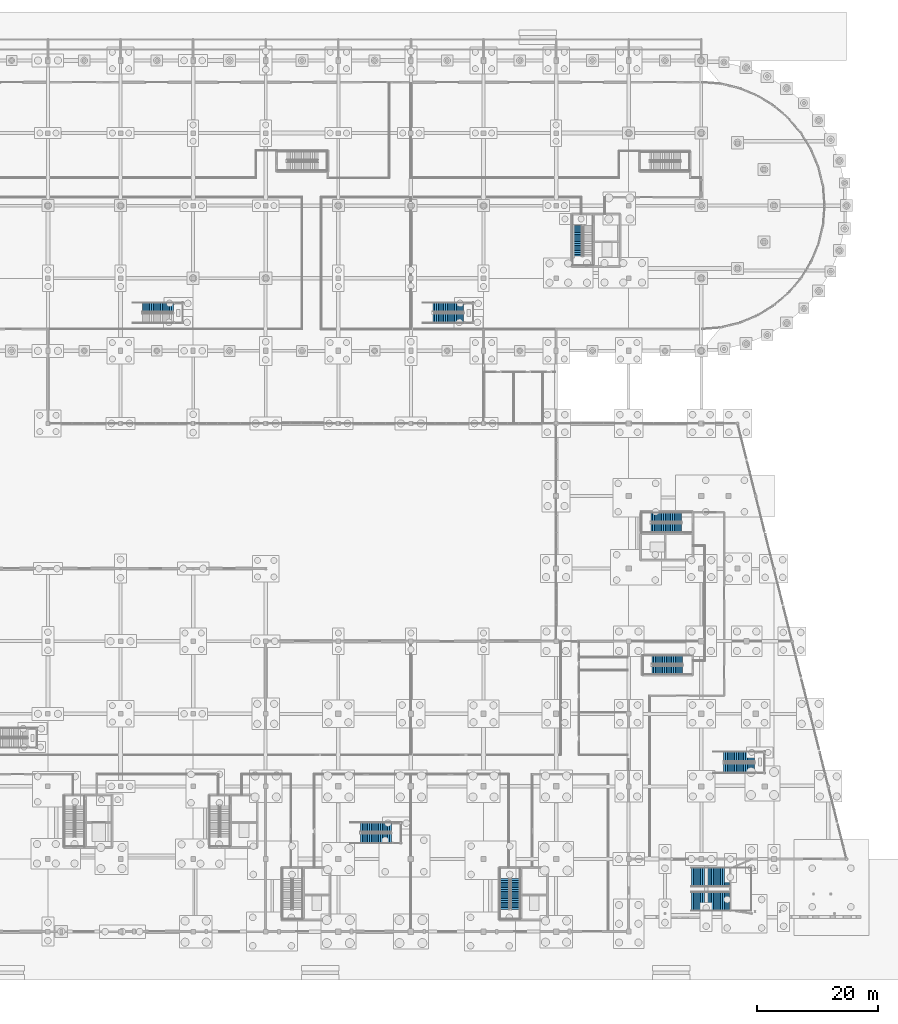
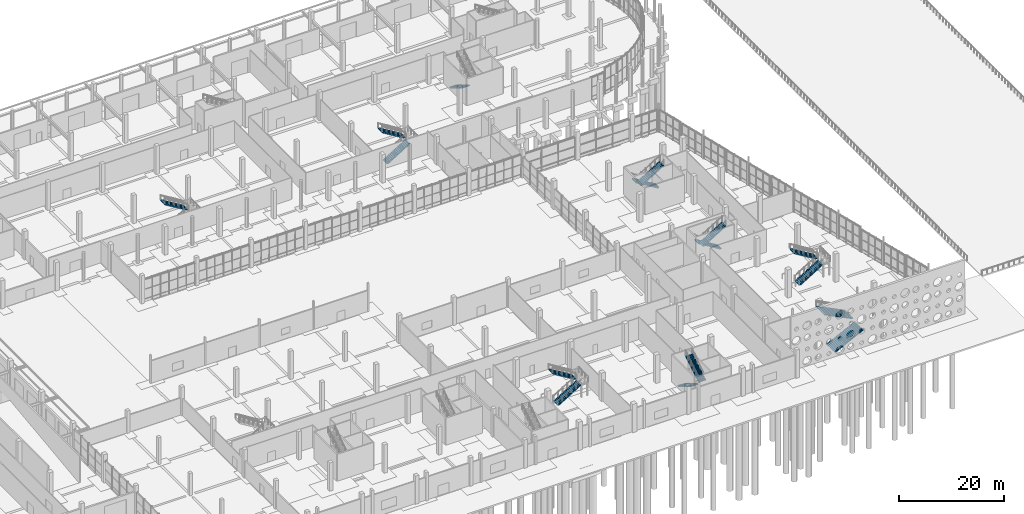
# One storey, part 98 of 117: 16 stair flights, 9 elements without a shape of their own.
"""IFC4 building model written with IfcOpenShell, lengths in metres."""

from ifc_helpers import new_model, si_unit, direction, frame, origin, place, context, subcontext, project, spatial, polyline, outline, extrude, material, layer, layer_set, type_object, element, aggregate, save


model = new_model("IFC4")

# Units and contexts
model_context = context("Model", 3, precision=1e-05, world=origin(), true_north=direction((0.0, 1.0)))
body_context = subcontext(model_context, "Body", "Model", "MODEL_VIEW")
ifc_project = project(units=[si_unit("LENGTHUNIT", "METRE"), si_unit("AREAUNIT", "SQUARE_METRE"), si_unit("VOLUMEUNIT", "CUBIC_METRE"), si_unit("PLANEANGLEUNIT", "RADIAN"), si_unit("MASSUNIT", "GRAM", prefix="KILO")], contexts=[model_context])

# Site, building, storey
site_placement = place(None, origin())
site = spatial("IfcSite", under=ifc_project, at=site_placement, CompositionType="ELEMENT")
building_placement = place(site_placement, origin())
building = spatial("IfcBuilding", under=site, at=building_placement, Name="Kamomehara Wholesale Market", CompositionType="ELEMENT")
storey_placement = place(building_placement, origin())
storey = spatial("IfcBuildingStorey", under=building, at=storey_placement, Name="L00", CompositionType="ELEMENT", Elevation=0.0)

# Stair, stair flight
ifc_material_1 = material(Name="Concrete Fc36 (C35/45)", Category="concrete")
stair_type_1 = type_object("IfcStairType", Name="STR-DL-02", PredefinedType="HALF_TURN_STAIR", material=ifc_material_1)
stair_1_placement = place(storey_placement, origin())
stair_1 = element("IfcStair", 1, at=stair_1_placement, inside=storey, type_object=stair_type_1, Name="L00 Core exit stair ST-02", PredefinedType="HALF_TURN_STAIR")
ifc_material_2 = material(Name="Concrete Fc36 (C35/45)", Category="concrete")
ifc_layer_1 = layer(ifc_material_2, 0.199951171875)
ifc_layer_set_1 = layer_set([ifc_layer_1], Name="Concrete Fc36 (C35/45)")
stair_flight_type_1 = type_object("IfcStairFlightType", Name="SFL-01", PredefinedType="STRAIGHT", material=ifc_layer_set_1)
stair_flight_1_placement = place(storey_placement, frame((159.5, 128.75, 0.0), z_axis=(0.0, 0.0, 1.0), x_axis=(0.0, -1.0, 0.0)))
stair_flight_1 = element("IfcStairFlight", 2, at=stair_flight_1_placement, type_object=stair_flight_type_1, Name="ST-02 flight 1", NumberOfRisers=18, NumberOfTreads=17, PredefinedType="STRAIGHT", RiserHeight=0.183333333, TreadLength=0.3, context=body_context, shape_type="SweptSolid", body=[
    extrude(outline(polyline([(0.0, 0.0), (0.0, 0.183349609375), (0.300048828125, 0.183349609375), (0.300048828125, 0.36669921875), (0.60009765625, 0.36669921875), (0.60009765625, 0.550048828125), (0.89990234375, 0.550048828125), (0.89990234375, 0.7333984375), (1.199951171875, 0.7333984375), (1.199951171875, 0.916748046875), (1.5, 0.916748046875), (1.5, 1.10009765625), (1.800048828125, 1.10009765625), (1.800048828125, 1.283447265625), (2.10009765625, 1.283447265625), (2.10009765625, 1.466552734375), (2.39990234375, 1.466552734375), (2.39990234375, 1.64990234375), (2.699951171875, 1.64990234375), (2.699951171875, 1.833251953125), (3.0, 1.833251953125), (3.0, 2.0166015625), (3.300048828125, 2.0166015625), (3.300048828125, 2.199951171875), (3.60009765625, 2.199951171875), (3.60009765625, 2.38330078125), (3.89990234375, 2.38330078125), (3.89990234375, 2.566650390625), (4.199951171875, 2.566650390625), (4.199951171875, 2.75), (4.5, 2.75), (4.5, 2.933349609375), (4.800048828125, 2.933349609375), (4.800048828125, 3.11669921875), (5.10009765625, 3.11669921875), (5.10009765625, 3.300048828125), (5.10009765625, 2.88232421875), (0.383544921875, 0.0), (0.0, 0.0)])), frame((0.0, 0.800048828125, 0.0), z_axis=(0.0, -1.0, 0.0), x_axis=(1.0, 0.0, 0.0)), (0.0, 0.0, 1.0), 1.60009765625),
])
aggregate(stair_1, [stair_flight_1])

# Stair, stair flights
stair_2_placement = place(storey_placement, origin())
stair_2 = element("IfcStair", 3, at=stair_2_placement, inside=storey, type_object=stair_type_1, Name="L00 Core exit stair ST-08", PredefinedType="HALF_TURN_STAIR")
stair_flight_2_placement = place(storey_placement, frame((147.5, 20.75, 0.0), z_axis=(0.0, 0.0, 1.0), x_axis=(0.0, -1.0, 0.0)))
stair_flight_2 = element("IfcStairFlight", 4, at=stair_flight_2_placement, type_object=stair_flight_type_1, Name="ST-08 flight 1", NumberOfRisers=18, NumberOfTreads=17, PredefinedType="STRAIGHT", RiserHeight=0.183333333, TreadLength=0.3, context=body_context, shape_type="SweptSolid", body=[
    extrude(outline(polyline([(0.0, 0.0), (0.0, 0.183349609375), (0.300048828125, 0.183349609375), (0.300048828125, 0.36669921875), (0.60009765625, 0.36669921875), (0.60009765625, 0.550048828125), (0.89990234375, 0.550048828125), (0.89990234375, 0.7333984375), (1.199951171875, 0.7333984375), (1.199951171875, 0.916748046875), (1.5, 0.916748046875), (1.5, 1.10009765625), (1.800048828125, 1.10009765625), (1.800048828125, 1.283447265625), (2.10009765625, 1.283447265625), (2.10009765625, 1.466552734375), (2.39990234375, 1.466552734375), (2.39990234375, 1.64990234375), (2.699951171875, 1.64990234375), (2.699951171875, 1.833251953125), (3.0, 1.833251953125), (3.0, 2.0166015625), (3.300048828125, 2.0166015625), (3.300048828125, 2.199951171875), (3.60009765625, 2.199951171875), (3.60009765625, 2.38330078125), (3.89990234375, 2.38330078125), (3.89990234375, 2.566650390625), (4.199951171875, 2.566650390625), (4.199951171875, 2.75), (4.5, 2.75), (4.5, 2.933349609375), (4.800048828125, 2.933349609375), (4.800048828125, 3.11669921875), (5.10009765625, 3.11669921875), (5.10009765625, 3.300048828125), (5.10009765625, 2.88232421875), (0.383544921875, 0.0), (0.0, 0.0)])), frame((0.0, 0.800048828125, 0.0), z_axis=(0.0, -1.0, 0.0), x_axis=(1.0, 0.0, 0.0)), (0.0, 0.0, 1.0), 1.60009765625),
])
stair_flight_3_placement = place(storey_placement, frame((149.300048828125, 15.64990234375, 3.300048828125), z_axis=(0.0, 0.0, 1.0), x_axis=(0.0, 1.0, 0.0)))
stair_flight_3 = element("IfcStairFlight", 5, at=stair_flight_3_placement, type_object=stair_flight_type_1, Name="ST-08 flight 2", NumberOfRisers=18, NumberOfTreads=17, PredefinedType="STRAIGHT", RiserHeight=0.183333333, TreadLength=0.3, context=body_context, shape_type="SweptSolid", body=[
    extrude(outline(polyline([(0.0, 0.0), (0.0, 0.183349609375), (0.300048828125, 0.183349609375), (0.300048828125, 0.36669921875), (0.60009765625, 0.36669921875), (0.60009765625, 0.550048828125), (0.89990234375, 0.550048828125), (0.89990234375, 0.7333984375), (1.199951171875, 0.7333984375), (1.199951171875, 0.916748046875), (1.5, 0.916748046875), (1.5, 1.10009765625), (1.800048828125, 1.10009765625), (1.800048828125, 1.283447265625), (2.10009765625, 1.283447265625), (2.10009765625, 1.466552734375), (2.39990234375, 1.466552734375), (2.39990234375, 1.64990234375), (2.699951171875, 1.64990234375), (2.699951171875, 1.833251953125), (3.0, 1.833251953125), (3.0, 2.0166015625), (3.300048828125, 2.0166015625), (3.300048828125, 2.199951171875), (3.60009765625, 2.199951171875), (3.60009765625, 2.38330078125), (3.89990234375, 2.38330078125), (3.89990234375, 2.566650390625), (4.199951171875, 2.566650390625), (4.199951171875, 2.75), (4.5, 2.75), (4.5, 2.933349609375), (4.800048828125, 2.933349609375), (4.800048828125, 3.11669921875), (5.10009765625, 3.11669921875), (5.10009765625, 3.300048828125), (5.10009765625, 2.88232421875), (0.383544921875, 0.0), (0.0, 0.0)])), frame((0.0, 0.800048828125, 0.0), z_axis=(0.0, -1.0, 0.0), x_axis=(1.0, 0.0, 0.0)), (0.0, 0.0, 1.0), 1.60009765625),
])
aggregate(stair_2, [stair_flight_2, stair_flight_3])

stair_3_placement = place(storey_placement, origin())
stair_3 = element("IfcStair", 6, at=stair_3_placement, inside=storey, type_object=stair_type_1, Name="L00 Core exit stair ST-09", PredefinedType="HALF_TURN_STAIR")
stair_flight_4_placement = place(storey_placement, frame((176.75, 80.5, 0.0), z_axis=(0.0, 0.0, 1.0), x_axis=(-1.0, 0.0, 0.0)))
stair_flight_4 = element("IfcStairFlight", 7, at=stair_flight_4_placement, type_object=stair_flight_type_1, Name="ST-09 flight 1", NumberOfRisers=18, NumberOfTreads=17, PredefinedType="STRAIGHT", RiserHeight=0.183333333, TreadLength=0.3, context=body_context, shape_type="SweptSolid", body=[
    extrude(outline(polyline([(0.0, 0.0), (0.0, 0.183349609375), (0.300048828125, 0.183349609375), (0.300048828125, 0.36669921875), (0.60009765625, 0.36669921875), (0.60009765625, 0.550048828125), (0.89990234375, 0.550048828125), (0.89990234375, 0.7333984375), (1.199951171875, 0.7333984375), (1.199951171875, 0.916748046875), (1.5, 0.916748046875), (1.5, 1.10009765625), (1.800048828125, 1.10009765625), (1.800048828125, 1.283447265625), (2.10009765625, 1.283447265625), (2.10009765625, 1.466552734375), (2.39990234375, 1.466552734375), (2.39990234375, 1.64990234375), (2.699951171875, 1.64990234375), (2.699951171875, 1.833251953125), (3.0, 1.833251953125), (3.0, 2.0166015625), (3.300048828125, 2.0166015625), (3.300048828125, 2.199951171875), (3.60009765625, 2.199951171875), (3.60009765625, 2.38330078125), (3.89990234375, 2.38330078125), (3.89990234375, 2.566650390625), (4.199951171875, 2.566650390625), (4.199951171875, 2.75), (4.5, 2.75), (4.5, 2.933349609375), (4.800048828125, 2.933349609375), (4.800048828125, 3.11669921875), (5.10009765625, 3.11669921875), (5.10009765625, 3.300048828125), (5.10009765625, 2.88232421875), (0.383544921875, 0.0), (0.0, 0.0)])), frame((0.0, 0.800048828125, 0.0), z_axis=(0.0, -1.0, 0.0), x_axis=(1.0, 0.0, 0.0)), (0.0, 0.0, 1.0), 1.60009765625),
])
stair_flight_5_placement = place(storey_placement, frame((171.64990234375, 78.699951171875, 3.300048828125), z_axis=(0.0, 0.0, 1.0), x_axis=(1.0, 0.0, 0.0)))
stair_flight_5 = element("IfcStairFlight", 8, at=stair_flight_5_placement, type_object=stair_flight_type_1, Name="ST-09 flight 2", NumberOfRisers=18, NumberOfTreads=17, PredefinedType="STRAIGHT", RiserHeight=0.183333333, TreadLength=0.3, context=body_context, shape_type="SweptSolid", body=[
    extrude(outline(polyline([(0.0, 0.0), (0.0, 0.183349609375), (0.300048828125, 0.183349609375), (0.300048828125, 0.36669921875), (0.60009765625, 0.36669921875), (0.60009765625, 0.550048828125), (0.89990234375, 0.550048828125), (0.89990234375, 0.7333984375), (1.199951171875, 0.7333984375), (1.199951171875, 0.916748046875), (1.5, 0.916748046875), (1.5, 1.10009765625), (1.800048828125, 1.10009765625), (1.800048828125, 1.283447265625), (2.10009765625, 1.283447265625), (2.10009765625, 1.466552734375), (2.39990234375, 1.466552734375), (2.39990234375, 1.64990234375), (2.699951171875, 1.64990234375), (2.699951171875, 1.833251953125), (3.0, 1.833251953125), (3.0, 2.0166015625), (3.300048828125, 2.0166015625), (3.300048828125, 2.199951171875), (3.60009765625, 2.199951171875), (3.60009765625, 2.38330078125), (3.89990234375, 2.38330078125), (3.89990234375, 2.566650390625), (4.199951171875, 2.566650390625), (4.199951171875, 2.75), (4.5, 2.75), (4.5, 2.933349609375), (4.800048828125, 2.933349609375), (4.800048828125, 3.11669921875), (5.10009765625, 3.11669921875), (5.10009765625, 3.300048828125), (5.10009765625, 2.88232421875), (0.383544921875, 0.0), (0.0, 0.0)])), frame((0.0, 0.800048828125, 0.0), z_axis=(0.0, -1.0, 0.0), x_axis=(1.0, 0.0, 0.0)), (0.0, 0.0, 1.0), 1.60009765625),
])
aggregate(stair_3, [stair_flight_4, stair_flight_5])

ifc_material_3 = material(Name="Concrete Fc36 (C35/45)", Category="concrete")
stair_type_2 = type_object("IfcStairType", Name="STR-DL-07", PredefinedType="HALF_TURN_STAIR", material=ifc_material_3)
stair_4_placement = place(storey_placement, origin())
stair_4 = element("IfcStair", 9, at=stair_4_placement, inside=storey, type_object=stair_type_2, Name="L00 Exit stair ST-17", PredefinedType="HALF_TURN_STAIR")
stair_flight_6_placement = place(storey_placement, frame((123.6650390625, 27.382568359375, 0.0), z_axis=(0.0, 0.0, 1.0), x_axis=(1.0, 0.0, 0.0)))
stair_flight_6 = element("IfcStairFlight", 10, at=stair_flight_6_placement, type_object=stair_flight_type_1, Name="ST-17 flight 1", NumberOfRisers=18, NumberOfTreads=17, PredefinedType="STRAIGHT", RiserHeight=0.183333333, TreadLength=0.3, context=body_context, shape_type="SweptSolid", body=[
    extrude(outline(polyline([(0.0, 0.0), (0.0, 0.183349609375), (0.300048828125, 0.183349609375), (0.300048828125, 0.36669921875), (0.60009765625, 0.36669921875), (0.60009765625, 0.550048828125), (0.89990234375, 0.550048828125), (0.89990234375, 0.7333984375), (1.199951171875, 0.7333984375), (1.199951171875, 0.916748046875), (1.5, 0.916748046875), (1.5, 1.10009765625), (1.800048828125, 1.10009765625), (1.800048828125, 1.283447265625), (2.10009765625, 1.283447265625), (2.10009765625, 1.466552734375), (2.39990234375, 1.466552734375), (2.39990234375, 1.64990234375), (2.699951171875, 1.64990234375), (2.699951171875, 1.833251953125), (3.0, 1.833251953125), (3.0, 2.0166015625), (3.300048828125, 2.0166015625), (3.300048828125, 2.199951171875), (3.60009765625, 2.199951171875), (3.60009765625, 2.38330078125), (3.89990234375, 2.38330078125), (3.89990234375, 2.566650390625), (4.199951171875, 2.566650390625), (4.199951171875, 2.75), (4.5, 2.75), (4.5, 2.933349609375), (4.800048828125, 2.933349609375), (4.800048828125, 3.11669921875), (5.10009765625, 3.11669921875), (5.10009765625, 3.300048828125), (5.10009765625, 2.88232421875), (0.383544921875, 0.0), (0.0, 0.0)])), frame((0.0, 0.83251953125, 0.0), z_axis=(0.0, -1.0, 0.0), x_axis=(1.0, 0.0, 0.0)), (0.0, 0.0, 1.0), 1.6650390625),
])
stair_flight_7_placement = place(storey_placement, frame((128.764892578125, 29.24755859375, 3.300048828125), z_axis=(0.0, 0.0, 1.0), x_axis=(-1.0, 0.0, 0.0)))
stair_flight_7 = element("IfcStairFlight", 11, at=stair_flight_7_placement, type_object=stair_flight_type_1, Name="ST-17 flight 2", NumberOfRisers=18, NumberOfTreads=17, PredefinedType="STRAIGHT", RiserHeight=0.183333333, TreadLength=0.3, context=body_context, shape_type="SweptSolid", body=[
    extrude(outline(polyline([(0.0, 0.0), (0.0, 0.183349609375), (0.300048828125, 0.183349609375), (0.300048828125, 0.36669921875), (0.60009765625, 0.36669921875), (0.60009765625, 0.550048828125), (0.89990234375, 0.550048828125), (0.89990234375, 0.7333984375), (1.199951171875, 0.7333984375), (1.199951171875, 0.916748046875), (1.5, 0.916748046875), (1.5, 1.10009765625), (1.800048828125, 1.10009765625), (1.800048828125, 1.283447265625), (2.10009765625, 1.283447265625), (2.10009765625, 1.466552734375), (2.39990234375, 1.466552734375), (2.39990234375, 1.64990234375), (2.699951171875, 1.64990234375), (2.699951171875, 1.833251953125), (3.0, 1.833251953125), (3.0, 2.0166015625), (3.300048828125, 2.0166015625), (3.300048828125, 2.199951171875), (3.60009765625, 2.199951171875), (3.60009765625, 2.38330078125), (3.89990234375, 2.38330078125), (3.89990234375, 2.566650390625), (4.199951171875, 2.566650390625), (4.199951171875, 2.75), (4.5, 2.75), (4.5, 2.933349609375), (4.800048828125, 2.933349609375), (4.800048828125, 3.11669921875), (5.10009765625, 3.11669921875), (5.10009765625, 3.300048828125), (5.10009765625, 2.88232421875), (0.383544921875, 0.0), (0.0, 0.0)])), frame((0.0, 0.83251953125, 0.0), z_axis=(0.0, -1.0, 0.0), x_axis=(1.0, 0.0, 0.0)), (0.0, 0.0, 1.0), 1.6650390625),
])
aggregate(stair_4, [stair_flight_6, stair_flight_7])

ifc_material_4 = material(Name="Concrete Fc36 (C35/45)", Category="concrete")
stair_type_3 = type_object("IfcStairType", Name="STR-DL-03", PredefinedType="HALF_TURN_STAIR", material=ifc_material_4)
stair_5_placement = place(storey_placement, origin())
stair_5 = element("IfcStair", 12, at=stair_5_placement, inside=storey, type_object=stair_type_3, Name="L00 Exit stair ST-10", PredefinedType="HALF_TURN_STAIR")
ifc_material_5 = material(Name="Concrete Fc36 (C35/45)", Category="concrete")
ifc_layer_2 = layer(ifc_material_5, 0.219970703125)
ifc_layer_set_2 = layer_set([ifc_layer_2], Name="Concrete Fc36 (C35/45)")
stair_flight_type_2 = type_object("IfcStairFlightType", Name="SFL-02", PredefinedType="STRAIGHT", material=ifc_layer_set_2)
stair_flight_8_placement = place(storey_placement, frame((176.9150390625, 56.907470703125, 0.0), z_axis=(0.0, 0.0, 1.0), x_axis=(-1.0, 0.0, 0.0)))
stair_flight_8 = element("IfcStairFlight", 13, at=stair_flight_8_placement, type_object=stair_flight_type_2, Name="ST-10 flight 1", NumberOfRisers=18, NumberOfTreads=17, PredefinedType="STRAIGHT", RiserHeight=0.183333333, TreadLength=0.3, context=body_context, shape_type="SweptSolid", body=[
    extrude(outline(polyline([(0.0, 0.0), (0.0, 0.183349609375), (0.300048828125, 0.183349609375), (0.300048828125, 0.36669921875), (0.60009765625, 0.36669921875), (0.60009765625, 0.550048828125), (0.89990234375, 0.550048828125), (0.89990234375, 0.7333984375), (1.199951171875, 0.7333984375), (1.199951171875, 0.916748046875), (1.5, 0.916748046875), (1.5, 1.10009765625), (1.800048828125, 1.10009765625), (1.800048828125, 1.283447265625), (2.10009765625, 1.283447265625), (2.10009765625, 1.466552734375), (2.39990234375, 1.466552734375), (2.39990234375, 1.64990234375), (2.699951171875, 1.64990234375), (2.699951171875, 1.833251953125), (3.0, 1.833251953125), (3.0, 2.0166015625), (3.300048828125, 2.0166015625), (3.300048828125, 2.199951171875), (3.60009765625, 2.199951171875), (3.60009765625, 2.38330078125), (3.89990234375, 2.38330078125), (3.89990234375, 2.566650390625), (4.199951171875, 2.566650390625), (4.199951171875, 2.75), (4.5, 2.75), (4.5, 2.933349609375), (4.800048828125, 2.933349609375), (4.800048828125, 3.11669921875), (5.10009765625, 3.11669921875), (5.10009765625, 3.300048828125), (5.10009765625, 2.88232421875), (0.383544921875, 0.0), (0.0, 0.0)])), frame((0.0, 0.74267578125, 0.0), z_axis=(0.0, -1.0, 0.0), x_axis=(1.0, 0.0, 0.0)), (0.0, 0.0, 1.0), 1.485107421875),
])
stair_flight_9_placement = place(storey_placement, frame((171.81494140625, 55.222412109375, 3.300048828125), z_axis=(0.0, 0.0, 1.0), x_axis=(1.0, 0.0, 0.0)))
stair_flight_9 = element("IfcStairFlight", 14, at=stair_flight_9_placement, type_object=stair_flight_type_2, Name="ST-10 flight 2", NumberOfRisers=18, NumberOfTreads=17, PredefinedType="STRAIGHT", RiserHeight=0.183333333, TreadLength=0.3, context=body_context, shape_type="SweptSolid", body=[
    extrude(outline(polyline([(0.0, 0.0), (0.0, 0.183349609375), (0.300048828125, 0.183349609375), (0.300048828125, 0.36669921875), (0.60009765625, 0.36669921875), (0.60009765625, 0.550048828125), (0.89990234375, 0.550048828125), (0.89990234375, 0.7333984375), (1.199951171875, 0.7333984375), (1.199951171875, 0.916748046875), (1.5, 0.916748046875), (1.5, 1.10009765625), (1.800048828125, 1.10009765625), (1.800048828125, 1.283447265625), (2.10009765625, 1.283447265625), (2.10009765625, 1.466552734375), (2.39990234375, 1.466552734375), (2.39990234375, 1.64990234375), (2.699951171875, 1.64990234375), (2.699951171875, 1.833251953125), (3.0, 1.833251953125), (3.0, 2.0166015625), (3.300048828125, 2.0166015625), (3.300048828125, 2.199951171875), (3.60009765625, 2.199951171875), (3.60009765625, 2.38330078125), (3.89990234375, 2.38330078125), (3.89990234375, 2.566650390625), (4.199951171875, 2.566650390625), (4.199951171875, 2.75), (4.5, 2.75), (4.5, 2.933349609375), (4.800048828125, 2.933349609375), (4.800048828125, 3.11669921875), (5.10009765625, 3.11669921875), (5.10009765625, 3.300048828125), (5.10009765625, 2.88232421875), (0.383544921875, 0.0), (0.0, 0.0)])), frame((0.0, 0.74267578125, 0.0), z_axis=(0.0, -1.0, 0.0), x_axis=(1.0, 0.0, 0.0)), (0.0, 0.0, 1.0), 1.485107421875),
])
aggregate(stair_5, [stair_flight_8, stair_flight_9])

ifc_material_6 = material(Name="Concrete Fc36 (C35/45)", Category="concrete")
stair_type_4 = type_object("IfcStairType", Name="STR-DL-08", PredefinedType="HALF_TURN_STAIR", material=ifc_material_6)
stair_6_placement = place(storey_placement, origin())
stair_6 = element("IfcStair", 15, at=stair_6_placement, inside=storey, type_object=stair_type_4, Name="L00 Exit stair ST-18", PredefinedType="HALF_TURN_STAIR")
stair_flight_10_placement = place(storey_placement, frame((183.7099609375, 39.0048828125, 0.0), z_axis=(0.0, 0.0, 1.0), x_axis=(1.0, 0.0, 0.0)))
stair_flight_10 = element("IfcStairFlight", 16, at=stair_flight_10_placement, type_object=stair_flight_type_2, Name="ST-18 flight 1", NumberOfRisers=18, NumberOfTreads=17, PredefinedType="STRAIGHT", RiserHeight=0.183333333, TreadLength=0.3, context=body_context, shape_type="SweptSolid", body=[
    extrude(outline(polyline([(0.0, 0.0), (0.0, 0.183349609375), (0.300048828125, 0.183349609375), (0.300048828125, 0.36669921875), (0.60009765625, 0.36669921875), (0.60009765625, 0.550048828125), (0.89990234375, 0.550048828125), (0.89990234375, 0.7333984375), (1.199951171875, 0.7333984375), (1.199951171875, 0.916748046875), (1.5, 0.916748046875), (1.5, 1.10009765625), (1.800048828125, 1.10009765625), (1.800048828125, 1.283447265625), (2.10009765625, 1.283447265625), (2.10009765625, 1.466552734375), (2.39990234375, 1.466552734375), (2.39990234375, 1.64990234375), (2.699951171875, 1.64990234375), (2.699951171875, 1.833251953125), (3.0, 1.833251953125), (3.0, 2.0166015625), (3.300048828125, 2.0166015625), (3.300048828125, 2.199951171875), (3.60009765625, 2.199951171875), (3.60009765625, 2.38330078125), (3.89990234375, 2.38330078125), (3.89990234375, 2.566650390625), (4.199951171875, 2.566650390625), (4.199951171875, 2.75), (4.5, 2.75), (4.5, 2.933349609375), (4.800048828125, 2.933349609375), (4.800048828125, 3.11669921875), (5.10009765625, 3.11669921875), (5.10009765625, 3.300048828125), (5.10009765625, 2.88232421875), (0.383544921875, 0.0), (0.0, 0.0)])), frame((0.0, 0.85498046875, 0.0), z_axis=(0.0, -1.0, 0.0), x_axis=(1.0, 0.0, 0.0)), (0.0, 0.0, 1.0), 1.7099609375),
])
stair_flight_11_placement = place(storey_placement, frame((188.81005859375, 40.9150390625, 3.300048828125), z_axis=(0.0, 0.0, 1.0), x_axis=(-1.0, 0.0, 0.0)))
stair_flight_11 = element("IfcStairFlight", 17, at=stair_flight_11_placement, type_object=stair_flight_type_2, Name="ST-18 flight 2", NumberOfRisers=18, NumberOfTreads=17, PredefinedType="STRAIGHT", RiserHeight=0.183333333, TreadLength=0.3, context=body_context, shape_type="SweptSolid", body=[
    extrude(outline(polyline([(0.0, 0.0), (0.0, 0.183349609375), (0.300048828125, 0.183349609375), (0.300048828125, 0.36669921875), (0.60009765625, 0.36669921875), (0.60009765625, 0.550048828125), (0.89990234375, 0.550048828125), (0.89990234375, 0.7333984375), (1.199951171875, 0.7333984375), (1.199951171875, 0.916748046875), (1.5, 0.916748046875), (1.5, 1.10009765625), (1.800048828125, 1.10009765625), (1.800048828125, 1.283447265625), (2.10009765625, 1.283447265625), (2.10009765625, 1.466552734375), (2.39990234375, 1.466552734375), (2.39990234375, 1.64990234375), (2.699951171875, 1.64990234375), (2.699951171875, 1.833251953125), (3.0, 1.833251953125), (3.0, 2.0166015625), (3.300048828125, 2.0166015625), (3.300048828125, 2.199951171875), (3.60009765625, 2.199951171875), (3.60009765625, 2.38330078125), (3.89990234375, 2.38330078125), (3.89990234375, 2.566650390625), (4.199951171875, 2.566650390625), (4.199951171875, 2.75), (4.5, 2.75), (4.5, 2.933349609375), (4.800048828125, 2.933349609375), (4.800048828125, 3.11669921875), (5.10009765625, 3.11669921875), (5.10009765625, 3.300048828125), (5.10009765625, 2.88232421875), (0.383544921875, 0.0), (0.0, 0.0)])), frame((0.0, 0.85498046875, 0.0), z_axis=(0.0, -1.0, 0.0), x_axis=(1.0, 0.0, 0.0)), (0.0, 0.0, 1.0), 1.7099609375),
])
aggregate(stair_6, [stair_flight_10, stair_flight_11])

ifc_material_7 = material(Name="Concrete Fc36 (C35/45)", Category="concrete")
stair_type_5 = type_object("IfcStairType", Name="STR-DL-09", PredefinedType="HALF_TURN_STAIR", material=ifc_material_7)
stair_7_placement = place(storey_placement, origin())
stair_7 = element("IfcStair", 18, at=stair_7_placement, inside=storey, type_object=stair_type_5, Name="Exterior ceremonial stair ST-19", PredefinedType="HALF_TURN_STAIR")
stair_flight_12_placement = place(storey_placement, frame((178.39990234375, 17.0, 0.0), z_axis=(0.0, 0.0, 1.0), x_axis=(1.0, 0.0, 0.0)))
stair_flight_12 = element("IfcStairFlight", 19, at=stair_flight_12_placement, type_object=stair_flight_type_2, Name="ST-19 flight 1", NumberOfRisers=22, NumberOfTreads=21, PredefinedType="STRAIGHT", RiserHeight=0.15, TreadLength=0.3, context=body_context, shape_type="SweptSolid", body=[
    extrude(outline(polyline([(0.0, 0.0), (0.0, 0.14990234375), (0.300048828125, 0.14990234375), (0.300048828125, 0.300048828125), (0.60009765625, 0.300048828125), (0.60009765625, 0.449951171875), (0.89990234375, 0.449951171875), (0.89990234375, 0.60009765625), (1.199951171875, 0.60009765625), (1.199951171875, 0.75), (1.5, 0.75), (1.5, 0.89990234375), (1.800048828125, 0.89990234375), (1.800048828125, 1.050048828125), (2.10009765625, 1.050048828125), (2.10009765625, 1.199951171875), (2.39990234375, 1.199951171875), (2.39990234375, 1.35009765625), (2.699951171875, 1.35009765625), (2.699951171875, 1.5), (3.0, 1.5), (3.0, 1.64990234375), (3.300048828125, 1.64990234375), (3.300048828125, 1.800048828125), (3.60009765625, 1.800048828125), (3.60009765625, 1.949951171875), (3.89990234375, 1.949951171875), (3.89990234375, 2.10009765625), (4.199951171875, 2.10009765625), (4.199951171875, 2.25), (4.5, 2.25), (4.5, 2.39990234375), (4.800048828125, 2.39990234375), (4.800048828125, 2.550048828125), (5.10009765625, 2.550048828125), (5.10009765625, 2.699951171875), (5.39990234375, 2.699951171875), (5.39990234375, 2.85009765625), (5.699951171875, 2.85009765625), (5.699951171875, 3.0), (6.0, 3.0), (6.0, 3.14990234375), (6.300048828125, 3.14990234375), (6.300048828125, 3.300048828125), (6.300048828125, 2.982421875), (0.335205078125, 0.0), (0.0, 0.0)])), frame((0.0, 1.60009765625, 0.0), z_axis=(0.0, -1.0, 0.0), x_axis=(1.0, 0.0, 0.0)), (0.0, 0.0, 1.0), 3.199951171875),
])
stair_flight_13_placement = place(storey_placement, frame((184.699951171875, 21.0, 3.300048828125), z_axis=(0.0, 0.0, 1.0), x_axis=(-1.0, 0.0, 0.0)))
stair_flight_13 = element("IfcStairFlight", 20, at=stair_flight_13_placement, type_object=stair_flight_type_2, Name="ST-19 flight 2", NumberOfRisers=22, NumberOfTreads=21, PredefinedType="STRAIGHT", RiserHeight=0.15, TreadLength=0.3, context=body_context, shape_type="SweptSolid", body=[
    extrude(outline(polyline([(0.0, 0.0), (0.0, 0.14990234375), (0.300048828125, 0.14990234375), (0.300048828125, 0.300048828125), (0.60009765625, 0.300048828125), (0.60009765625, 0.449951171875), (0.89990234375, 0.449951171875), (0.89990234375, 0.60009765625), (1.199951171875, 0.60009765625), (1.199951171875, 0.75), (1.5, 0.75), (1.5, 0.89990234375), (1.800048828125, 0.89990234375), (1.800048828125, 1.050048828125), (2.10009765625, 1.050048828125), (2.10009765625, 1.199951171875), (2.39990234375, 1.199951171875), (2.39990234375, 1.35009765625), (2.699951171875, 1.35009765625), (2.699951171875, 1.5), (3.0, 1.5), (3.0, 1.64990234375), (3.300048828125, 1.64990234375), (3.300048828125, 1.800048828125), (3.60009765625, 1.800048828125), (3.60009765625, 1.949951171875), (3.89990234375, 1.949951171875), (3.89990234375, 2.10009765625), (4.199951171875, 2.10009765625), (4.199951171875, 2.25), (4.5, 2.25), (4.5, 2.39990234375), (4.800048828125, 2.39990234375), (4.800048828125, 2.550048828125), (5.10009765625, 2.550048828125), (5.10009765625, 2.699951171875), (5.39990234375, 2.699951171875), (5.39990234375, 2.85009765625), (5.699951171875, 2.85009765625), (5.699951171875, 3.0), (6.0, 3.0), (6.0, 3.14990234375), (6.300048828125, 3.14990234375), (6.300048828125, 3.300048828125), (6.300048828125, 2.982421875), (0.335205078125, 0.0), (0.0, 0.0)])), frame((0.0, 1.60009765625, 0.0), z_axis=(0.0, -1.0, 0.0), x_axis=(1.0, 0.0, 0.0)), (0.0, 0.0, 1.0), 3.199951171875),
])
aggregate(stair_7, [stair_flight_12, stair_flight_13])

# Stair, stair flight
ifc_material_8 = material(Name="Concrete Fc36 (C35/45)", Category="concrete")
stair_type_6 = type_object("IfcStairType", Name="STR-DL-06", PredefinedType="HALF_TURN_STAIR", material=ifc_material_8)
stair_8_placement = place(storey_placement, origin())
stair_8 = element("IfcStair", 21, at=stair_8_placement, inside=storey, type_object=stair_type_6, Name="L00 Exit stair ST-11", PredefinedType="HALF_TURN_STAIR")
ifc_material_9 = material(Name="Concrete Fc36 (C35/45)", Category="concrete")
ifc_layer_3 = layer(ifc_material_9, 0.199951171875)
ifc_layer_set_3 = layer_set([ifc_layer_3], Name="Concrete Fc36 (C35/45)")
stair_flight_type_3 = type_object("IfcStairFlightType", Name="SFL-03", PredefinedType="STRAIGHT", material=ifc_layer_set_3)
stair_flight_14_placement = place(storey_placement, frame((92.719970703125, 115.179931640625, 3.300048828125), z_axis=(0.0, 0.0, 1.0), x_axis=(-1.0, 0.0, 0.0)))
stair_flight_14 = element("IfcStairFlight", 22, at=stair_flight_14_placement, type_object=stair_flight_type_3, Name="ST-11 flight 2", NumberOfRisers=18, NumberOfTreads=17, PredefinedType="STRAIGHT", RiserHeight=0.183333333, TreadLength=0.3, context=body_context, shape_type="SweptSolid", body=[
    extrude(outline(polyline([(0.0, 0.0), (0.0, 0.183349609375), (0.300048828125, 0.183349609375), (0.300048828125, 0.36669921875), (0.60009765625, 0.36669921875), (0.60009765625, 0.550048828125), (0.89990234375, 0.550048828125), (0.89990234375, 0.7333984375), (1.199951171875, 0.7333984375), (1.199951171875, 0.916748046875), (1.5, 0.916748046875), (1.5, 1.10009765625), (1.800048828125, 1.10009765625), (1.800048828125, 1.283447265625), (2.10009765625, 1.283447265625), (2.10009765625, 1.466552734375), (2.39990234375, 1.466552734375), (2.39990234375, 1.64990234375), (2.699951171875, 1.64990234375), (2.699951171875, 1.833251953125), (3.0, 1.833251953125), (3.0, 2.0166015625), (3.300048828125, 2.0166015625), (3.300048828125, 2.199951171875), (3.60009765625, 2.199951171875), (3.60009765625, 2.38330078125), (3.89990234375, 2.38330078125), (3.89990234375, 2.566650390625), (4.199951171875, 2.566650390625), (4.199951171875, 2.75), (4.5, 2.75), (4.5, 2.933349609375), (4.800048828125, 2.933349609375), (4.800048828125, 3.11669921875), (5.10009765625, 3.11669921875), (5.10009765625, 3.300048828125), (5.10009765625, 2.88232421875), (0.383544921875, 0.0), (0.0, 0.0)])), frame((0.0, 0.81005859375, 0.0), z_axis=(0.0, -1.0, 0.0), x_axis=(1.0, 0.0, 0.0)), (0.0, 0.0, 1.0), 1.6201171875),
])
aggregate(stair_8, [stair_flight_14])

# Stair, stair flights
stair_9_placement = place(storey_placement, origin())
stair_9 = element("IfcStair", 23, at=stair_9_placement, inside=storey, type_object=stair_type_6, Name="L00 Exit stair ST-12", PredefinedType="HALF_TURN_STAIR")
ifc_material_10 = material(Name="Concrete Fc36 (C35/45)", Category="concrete")
ifc_layer_4 = layer(ifc_material_10, 0.2099609375)
ifc_layer_set_4 = layer_set([ifc_layer_4], Name="Concrete Fc36 (C35/45)")
stair_flight_type_4 = type_object("IfcStairFlightType", Name="SFL-04", PredefinedType="STRAIGHT", material=ifc_layer_set_4)
stair_flight_15_placement = place(storey_placement, frame((135.6201171875, 113.360107421875, 0.0), z_axis=(0.0, 0.0, 1.0), x_axis=(1.0, 0.0, 0.0)))
stair_flight_15 = element("IfcStairFlight", 24, at=stair_flight_15_placement, type_object=stair_flight_type_4, Name="ST-12 flight 1", NumberOfRisers=18, NumberOfTreads=17, PredefinedType="STRAIGHT", RiserHeight=0.183333333, TreadLength=0.3, context=body_context, shape_type="SweptSolid", body=[
    extrude(outline(polyline([(0.0, 0.0), (0.0, 0.183349609375), (0.300048828125, 0.183349609375), (0.300048828125, 0.36669921875), (0.60009765625, 0.36669921875), (0.60009765625, 0.550048828125), (0.89990234375, 0.550048828125), (0.89990234375, 0.7333984375), (1.199951171875, 0.7333984375), (1.199951171875, 0.916748046875), (1.5, 0.916748046875), (1.5, 1.10009765625), (1.800048828125, 1.10009765625), (1.800048828125, 1.283447265625), (2.10009765625, 1.283447265625), (2.10009765625, 1.466552734375), (2.39990234375, 1.466552734375), (2.39990234375, 1.64990234375), (2.699951171875, 1.64990234375), (2.699951171875, 1.833251953125), (3.0, 1.833251953125), (3.0, 2.0166015625), (3.300048828125, 2.0166015625), (3.300048828125, 2.199951171875), (3.60009765625, 2.199951171875), (3.60009765625, 2.38330078125), (3.89990234375, 2.38330078125), (3.89990234375, 2.566650390625), (4.199951171875, 2.566650390625), (4.199951171875, 2.75), (4.5, 2.75), (4.5, 2.933349609375), (4.800048828125, 2.933349609375), (4.800048828125, 3.11669921875), (5.10009765625, 3.11669921875), (5.10009765625, 3.300048828125), (5.10009765625, 2.88232421875), (0.383544921875, 0.0), (0.0, 0.0)])), frame((0.0, 0.81005859375, 0.0), z_axis=(0.0, -1.0, 0.0), x_axis=(1.0, 0.0, 0.0)), (0.0, 0.0, 1.0), 1.6201171875),
])
stair_flight_16_placement = place(storey_placement, frame((140.719970703125, 115.179931640625, 3.300048828125), z_axis=(0.0, 0.0, 1.0), x_axis=(-1.0, 0.0, 0.0)))
stair_flight_16 = element("IfcStairFlight", 25, at=stair_flight_16_placement, type_object=stair_flight_type_4, Name="ST-12 flight 2", NumberOfRisers=18, NumberOfTreads=17, PredefinedType="STRAIGHT", RiserHeight=0.183333333, TreadLength=0.3, context=body_context, shape_type="SweptSolid", body=[
    extrude(outline(polyline([(0.0, 0.0), (0.0, 0.183349609375), (0.300048828125, 0.183349609375), (0.300048828125, 0.36669921875), (0.60009765625, 0.36669921875), (0.60009765625, 0.550048828125), (0.89990234375, 0.550048828125), (0.89990234375, 0.7333984375), (1.199951171875, 0.7333984375), (1.199951171875, 0.916748046875), (1.5, 0.916748046875), (1.5, 1.10009765625), (1.800048828125, 1.10009765625), (1.800048828125, 1.283447265625), (2.10009765625, 1.283447265625), (2.10009765625, 1.466552734375), (2.39990234375, 1.466552734375), (2.39990234375, 1.64990234375), (2.699951171875, 1.64990234375), (2.699951171875, 1.833251953125), (3.0, 1.833251953125), (3.0, 2.0166015625), (3.300048828125, 2.0166015625), (3.300048828125, 2.199951171875), (3.60009765625, 2.199951171875), (3.60009765625, 2.38330078125), (3.89990234375, 2.38330078125), (3.89990234375, 2.566650390625), (4.199951171875, 2.566650390625), (4.199951171875, 2.75), (4.5, 2.75), (4.5, 2.933349609375), (4.800048828125, 2.933349609375), (4.800048828125, 3.11669921875), (5.10009765625, 3.11669921875), (5.10009765625, 3.300048828125), (5.10009765625, 2.88232421875), (0.383544921875, 0.0), (0.0, 0.0)])), frame((0.0, 0.81005859375, 0.0), z_axis=(0.0, -1.0, 0.0), x_axis=(1.0, 0.0, 0.0)), (0.0, 0.0, 1.0), 1.6201171875),
])
aggregate(stair_9, [stair_flight_15, stair_flight_16])

save(model, "model.ifc")
